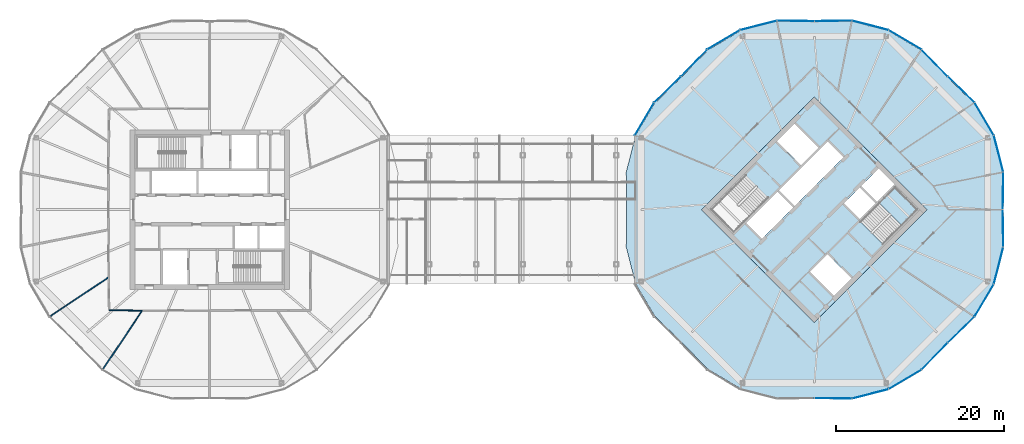
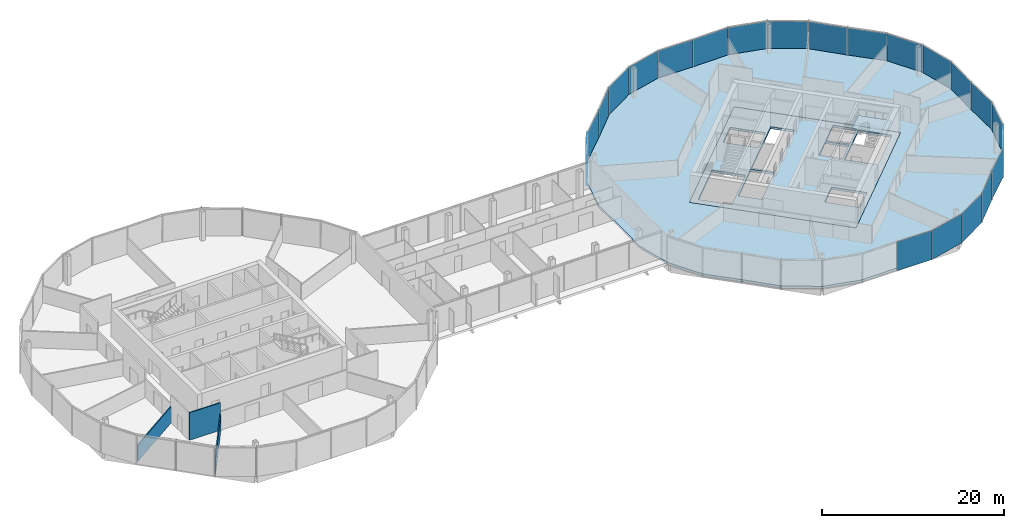
# One storey, part 18 of 26: 22 plates, 3 slabs, 3 walls, 7 elements without a shape of their own.
"""IFC4 building model written with IfcOpenShell, lengths in metres."""

from ifc_helpers import new_model, si_unit, direction, frame, frame_2d, origin, origin_2d, place, context, subcontext, project, spatial, polyline, rectangle, outline, extrude, material, layer, layer_set, type_object, element, aggregate, save


model = new_model("IFC4")

# Units and contexts
model_context = context("Model", 3, precision=1e-05, world=origin(), true_north=direction((0.0, 1.0)))
body_context = subcontext(model_context, "Body", "Model", "MODEL_VIEW")
ifc_project = project(units=[si_unit("LENGTHUNIT", "METRE"), si_unit("AREAUNIT", "SQUARE_METRE"), si_unit("VOLUMEUNIT", "CUBIC_METRE"), si_unit("PLANEANGLEUNIT", "RADIAN"), si_unit("MASSUNIT", "GRAM", prefix="KILO")], contexts=[model_context])

# Site, building, storey
site_placement = place(None, origin())
site = spatial("IfcSite", under=ifc_project, at=site_placement, CompositionType="ELEMENT")
building_placement = place(site_placement, origin())
building = spatial("IfcBuilding", under=site, at=building_placement, Name="Ogive Gate Towers", CompositionType="ELEMENT")
storey_placement = place(building_placement, frame((0.0, 0.0, 156.800048828125)))
storey = spatial("IfcBuildingStorey", under=building, at=storey_placement, Name="L37", CompositionType="ELEMENT", Elevation=156.800048828125)

# Slabs
ifc_material_1 = material(Name="Concrete C40/50", Category="concrete")
ifc_layer_1 = layer(ifc_material_1, 0.300048828125)
ifc_layer_set_1 = layer_set([ifc_layer_1], Name="Core slab C40/50 300 mm")
slab_type_1 = type_object("IfcSlabType", Name="Core slab C40/50 300 mm", PredefinedType="FLOOR", material=ifc_layer_set_1)
slab_1_placement = place(storey_placement, frame((0.0, 0.0, -0.300048828125)))
element("IfcSlab", 1, at=slab_1_placement, inside=storey, type_object=slab_type_1, Name="T2 L37 core slab", PredefinedType="FLOOR", context=body_context, shape_type="SweptSolid", body=[
    extrude(outline(polyline([(36.0, -13.43505859375), (22.56494140625, 0.0), (36.0, 13.43505859375), (49.43505859375, 0.0), (36.0, -13.43505859375)]), holes=[polyline([(29.759765625, -3.482421875), (33.50732421875, 0.26513671875), (31.615966796875, 2.15673828125), (27.868408203125, -1.591064453125), (29.759765625, -3.482421875)]), polyline([(31.792724609375, 2.33349609375), (33.68408203125, 0.44189453125), (39.482421875, 6.240234375), (37.591064453125, 8.131591796875), (31.792724609375, 2.33349609375)]), polyline([(41.3916015625, 2.634033203125), (39.517822265625, 0.760009765625), (41.409423828125, -1.13134765625), (43.283203125, 0.742431640625), (41.3916015625, 2.634033203125)]), polyline([(45.563720703125, 3.02294921875), (43.672119140625, 4.914306640625), (41.568603515625, 2.810791015625), (43.4599609375, 0.919189453125), (45.563720703125, 3.02294921875)]), polyline([(34.408935546875, 5.30322265625), (36.4951171875, 7.389404296875), (33.64892578125, 10.2353515625), (31.56298828125, 8.1494140625), (34.408935546875, 5.30322265625)]), polyline([(35.5048828125, -7.389404296875), (38.35107421875, -10.2353515625), (40.43701171875, -8.1494140625), (37.591064453125, -5.30322265625), (35.5048828125, -7.389404296875)]), polyline([(26.40087890625, -2.70458984375), (30.512939453125, 1.406982421875), (27.80810546875, 4.11181640625), (23.6962890625, 0.0), (26.40087890625, -2.70458984375)]), polyline([(48.3037109375, 0.0), (45.59912109375, 2.70458984375), (41.487060546875, -1.406982421875), (44.19189453125, -4.11181640625), (48.3037109375, 0.0)])]), origin(), (0.0, 0.0, 1.0), 0.300048828125),
])
ifc_material_2 = material(Name="Concrete C35/45", Category="concrete")
ifc_layer_2 = layer(ifc_material_2, 0.300048828125)
ifc_layer_set_2 = layer_set([ifc_layer_2], Name="Floor slab 300")
slab_type_2 = type_object("IfcSlabType", Name="Floor slab 300", PredefinedType="FLOOR", material=ifc_layer_set_2)
slab_2_placement = place(storey_placement, frame((0.0, 0.0, -0.300048828125)))
element("IfcSlab", 2, at=slab_2_placement, inside=storey, type_object=slab_type_2, Name="T2/L37/SSL001", PredefinedType="FLOOR", context=body_context, shape_type="SweptSolid", body=[
    extrude(outline(polyline([(58.401123046875, -4.455810546875), (58.340087890625, 0.0), (58.401123046875, 4.455810546875), (57.2861328125, 8.817138671875), (54.99072265625, 12.689208984375), (51.796875, 15.796875), (48.689208984375, 18.99072265625), (44.817138671875, 21.2861328125), (40.455810546875, 22.401123046875), (36.0, 22.340087890625), (31.544189453125, 22.401123046875), (27.182861328125, 21.2861328125), (23.310791015625, 18.99072265625), (20.203125, 15.796875), (17.00927734375, 12.689208984375), (14.7138671875, 8.817138671875), (13.598876953125, 4.455810546875), (13.659912109375, 0.0), (13.598876953125, -4.455810546875), (14.7138671875, -8.817138671875), (17.00927734375, -12.689208984375), (20.203125, -15.796875), (23.310791015625, -18.99072265625), (27.182861328125, -21.2861328125), (31.544189453125, -22.401123046875), (36.0, -22.340087890625), (40.455810546875, -22.401123046875), (44.817138671875, -21.2861328125), (48.689208984375, -18.99072265625), (51.796875, -15.796875), (54.99072265625, -12.689208984375), (57.2861328125, -8.817138671875), (58.401123046875, -4.455810546875)]), holes=[polyline([(49.43505859375, 0.0), (36.0, -13.43505859375), (22.56494140625, 0.0), (36.0, 13.43505859375), (49.43505859375, 0.0)])]), origin(), (0.0, 0.0, 1.0), 0.300048828125),
])

# Stair, slab
stair_type = type_object("IfcStairType", Name="Escape stair 1840 wide", PredefinedType="HALF_TURN_STAIR", material=ifc_material_1)
stair_placement = place(storey_placement, origin())
stair = element("IfcStair", 3, at=stair_placement, inside=storey, type_object=stair_type, Name="L37 Escape stair 2", PredefinedType="HALF_TURN_STAIR")
ifc_layer_3 = layer(ifc_material_1, 0.199951171875)
ifc_layer_set_3 = layer_set([ifc_layer_3], Name="Stair landing 200 mm")
slab_type_3 = type_object("IfcSlabType", Name="Stair landing 200 mm", PredefinedType="LANDING", material=ifc_layer_set_3)
slab_3_placement = place(storey_placement, frame((0.0, 0.0, 1.800048828125)))
slab_3 = element("IfcSlab", 4, at=slab_3_placement, type_object=slab_type_3, Name="ST2 landing 1", PredefinedType="LANDING", context=body_context, shape_type="SweptSolid", body=[
    extrude(outline(polyline([(46.413818359375, -1.8896484375), (48.3037109375, 0.0), (45.598876953125, 2.70458984375), (43.709228515625, 0.81494140625), (46.413818359375, -1.8896484375)])), origin(), (0.0, 0.0, 1.0), 0.199951171875),
])
aggregate(stair, [slab_3])

# Curtain wall, plates
ifc_material_3 = material(Name="Pale metal aluminium", Category="aluminium")
curtain_wall_type = type_object("IfcCurtainWallType", Name="Tower unitised wall, high zone", PredefinedType="NOTDEFINED", material=ifc_material_3)
curtain_wall_1_placement = place(storey_placement, origin())
curtain_wall_1 = element("IfcCurtainWall", 5, at=curtain_wall_1_placement, inside=storey, type_object=curtain_wall_type, Name="CW2 T2 ECW01", PredefinedType="NOTDEFINED")
ifc_material_4 = material(Name="Clear glass", Category="glass")
ifc_layer_4 = layer(ifc_material_4, 0.028076171875)
ifc_layer_set_4 = layer_set([ifc_layer_4], Name="Tower unitised wall, high zone glass panel")
plate_type = type_object("IfcPlateType", Name="Tower unitised wall, high zone glass panel", PredefinedType="CURTAIN_PANEL", material=ifc_layer_set_4)
plate_1_placement = place(storey_placement, frame((58.470703125, 2.23193359375, -0.30029296875), z_axis=(0.0, 0.0, 1.0), x_axis=(0.013717857647, 0.999905905764, 0.0)))
plate_1 = element("IfcPlate", 6, at=plate_1_placement, type_object=plate_type, Name="CW2 glass panel", PredefinedType="CURTAIN_PANEL", context=body_context, shape_type="SweptSolid", body=[
    extrude(rectangle(XDim=4.410400390625, YDim=0.028076171875, at=origin_2d()), origin(), (0.0, 0.0, 1.0), 3.904052734375),
])
plate_2_placement = place(storey_placement, frame((57.9404296875, 6.66162109375, -0.30029296875), z_axis=(0.0, 0.0, 1.0), x_axis=(-0.24769236254, 0.968838734537, 0.0)))
plate_2 = element("IfcPlate", 7, at=plate_2_placement, type_object=plate_type, Name="CW2 glass panel", PredefinedType="CURTAIN_PANEL", context=body_context, shape_type="SweptSolid", body=[
    extrude(rectangle(XDim=4.46728515625, YDim=0.028076171875, at=origin_2d()), origin(), (0.0, 0.0, 1.0), 3.904052734375),
])
plate_3_placement = place(storey_placement, frame((56.224609375, 10.8037109375, -0.30029296875), z_axis=(0.0, 0.0, 1.0), x_axis=(-0.509942503415, 0.860208488223, 0.0)))
plate_3 = element("IfcPlate", 8, at=plate_3_placement, type_object=plate_type, Name="CW2 glass panel", PredefinedType="CURTAIN_PANEL", context=body_context, shape_type="SweptSolid", body=[
    extrude(rectangle(XDim=4.467041015625, YDim=0.028076171875, at=origin_2d()), origin(), (0.0, 0.0, 1.0), 3.904052734375),
])
plate_4_placement = place(storey_placement, frame((53.46728515625, 14.310791015625, -0.30029296875), z_axis=(0.0, 0.0, 1.0), x_axis=(-0.716728065687, 0.697352765719, 0.0)))
plate_4 = element("IfcPlate", 9, at=plate_4_placement, type_object=plate_type, Name="CW2 glass panel", PredefinedType="CURTAIN_PANEL", context=body_context, shape_type="SweptSolid", body=[
    extrude(rectangle(XDim=4.410400390625, YDim=0.028076171875, at=origin_2d()), origin(), (0.0, 0.0, 1.0), 3.904052734375),
])
aggregate(curtain_wall_1, [plate_1, plate_2, plate_3, plate_4])

curtain_wall_2_placement = place(storey_placement, origin())
curtain_wall_2 = element("IfcCurtainWall", 10, at=curtain_wall_2_placement, inside=storey, type_object=curtain_wall_type, Name="CW2 T2 ECW02", PredefinedType="NOTDEFINED")
plate_5_placement = place(storey_placement, frame((50.310791015625, 17.46728515625, -0.30029296875), z_axis=(0.0, 0.0, 1.0), x_axis=(-0.697352765719, 0.716728065687, 0.0)))
plate_5 = element("IfcPlate", 11, at=plate_5_placement, type_object=plate_type, Name="CW2 glass panel", PredefinedType="CURTAIN_PANEL", context=body_context, shape_type="SweptSolid", body=[
    extrude(rectangle(XDim=4.410400390625, YDim=0.028076171875, at=origin_2d()), origin(), (0.0, 0.0, 1.0), 3.904052734375),
])
plate_6_placement = place(storey_placement, frame((46.8037109375, 20.224609375, -0.30029296875), z_axis=(0.0, 0.0, 1.0), x_axis=(-0.860208488223, 0.509942503415, 0.0)))
plate_6 = element("IfcPlate", 12, at=plate_6_placement, type_object=plate_type, Name="CW2 glass panel", PredefinedType="CURTAIN_PANEL", context=body_context, shape_type="SweptSolid", body=[
    extrude(rectangle(XDim=4.467041015625, YDim=0.028076171875, at=origin_2d()), origin(), (0.0, 0.0, 1.0), 3.904052734375),
])
plate_7_placement = place(storey_placement, frame((42.66162109375, 21.9404296875, -0.30029296875), z_axis=(0.0, 0.0, 1.0), x_axis=(-0.968838734537, 0.24769236254, 0.0)))
plate_7 = element("IfcPlate", 13, at=plate_7_placement, type_object=plate_type, Name="CW2 glass panel", PredefinedType="CURTAIN_PANEL", context=body_context, shape_type="SweptSolid", body=[
    extrude(rectangle(XDim=4.46728515625, YDim=0.028076171875, at=origin_2d()), origin(), (0.0, 0.0, 1.0), 3.904052734375),
])
plate_8_placement = place(storey_placement, frame((38.23193359375, 22.470703125, -0.30029296875), z_axis=(0.0, 0.0, 1.0), x_axis=(-0.999905905764, -0.013717857647, 0.0)))
plate_8 = element("IfcPlate", 14, at=plate_8_placement, type_object=plate_type, Name="CW2 glass panel", PredefinedType="CURTAIN_PANEL", context=body_context, shape_type="SweptSolid", body=[
    extrude(rectangle(XDim=4.410400390625, YDim=0.028076171875, at=origin_2d()), origin(), (0.0, 0.0, 1.0), 3.904052734375),
])
aggregate(curtain_wall_2, [plate_5, plate_6, plate_7, plate_8])

curtain_wall_3_placement = place(storey_placement, origin())
curtain_wall_3 = element("IfcCurtainWall", 15, at=curtain_wall_3_placement, inside=storey, type_object=curtain_wall_type, Name="CW2 T2 ECW03", PredefinedType="NOTDEFINED")
plate_9_placement = place(storey_placement, frame((33.76806640625, 22.470703125, -0.30029296875), z_axis=(0.0, 0.0, 1.0), x_axis=(-0.999905905764, 0.013717857647, 0.0)))
plate_9 = element("IfcPlate", 16, at=plate_9_placement, type_object=plate_type, Name="CW2 glass panel", PredefinedType="CURTAIN_PANEL", context=body_context, shape_type="SweptSolid", body=[
    extrude(rectangle(XDim=4.410400390625, YDim=0.028076171875, at=origin_2d()), origin(), (0.0, 0.0, 1.0), 3.904052734375),
])
plate_10_placement = place(storey_placement, frame((29.33837890625, 21.9404296875, -0.30029296875), z_axis=(0.0, 0.0, 1.0), x_axis=(-0.968838734537, -0.24769236254, 0.0)))
plate_10 = element("IfcPlate", 17, at=plate_10_placement, type_object=plate_type, Name="CW2 glass panel", PredefinedType="CURTAIN_PANEL", context=body_context, shape_type="SweptSolid", body=[
    extrude(rectangle(XDim=4.46728515625, YDim=0.028076171875, at=origin_2d()), origin(), (0.0, 0.0, 1.0), 3.904052734375),
])
plate_11_placement = place(storey_placement, frame((25.1962890625, 20.224609375, -0.30029296875), z_axis=(0.0, 0.0, 1.0), x_axis=(-0.860208488223, -0.509942503415, 0.0)))
plate_11 = element("IfcPlate", 18, at=plate_11_placement, type_object=plate_type, Name="CW2 glass panel", PredefinedType="CURTAIN_PANEL", context=body_context, shape_type="SweptSolid", body=[
    extrude(rectangle(XDim=4.467041015625, YDim=0.028076171875, at=origin_2d()), origin(), (0.0, 0.0, 1.0), 3.904052734375),
])
plate_12_placement = place(storey_placement, frame((21.689208984375, 17.46728515625, -0.30029296875), z_axis=(0.0, 0.0, 1.0), x_axis=(-0.697352765719, -0.716728065687, 0.0)))
plate_12 = element("IfcPlate", 19, at=plate_12_placement, type_object=plate_type, Name="CW2 glass panel", PredefinedType="CURTAIN_PANEL", context=body_context, shape_type="SweptSolid", body=[
    extrude(rectangle(XDim=4.410400390625, YDim=0.028076171875, at=origin_2d()), origin(), (0.0, 0.0, 1.0), 3.904052734375),
])
aggregate(curtain_wall_3, [plate_9, plate_10, plate_11, plate_12])

curtain_wall_4_placement = place(storey_placement, origin())
curtain_wall_4 = element("IfcCurtainWall", 20, at=curtain_wall_4_placement, inside=storey, type_object=curtain_wall_type, Name="CW2 T2 ECW04", PredefinedType="NOTDEFINED")
plate_13_placement = place(storey_placement, frame((18.53271484375, 14.310791015625, -0.30029296875), z_axis=(0.0, 0.0, 1.0), x_axis=(-0.716728065687, -0.697352765719, 0.0)))
plate_13 = element("IfcPlate", 21, at=plate_13_placement, type_object=plate_type, Name="CW2 glass panel", PredefinedType="CURTAIN_PANEL", context=body_context, shape_type="SweptSolid", body=[
    extrude(rectangle(XDim=4.410400390625, YDim=0.028076171875, at=origin_2d()), origin(), (0.0, 0.0, 1.0), 3.904052734375),
])
plate_14_placement = place(storey_placement, frame((15.7744140625, 10.802001953125, -0.30029296875), z_axis=(0.0, 0.0, 1.0), x_axis=(-0.509942503415, -0.860208488223, 0.0)))
plate_14 = element("IfcPlate", 22, at=plate_14_placement, type_object=plate_type, Name="CW2 glass panel", PredefinedType="CURTAIN_PANEL", context=body_context, shape_type="SweptSolid", body=[
    extrude(rectangle(XDim=4.47119140625, YDim=0.028076171875, at=origin_2d()), origin(), (0.0, 0.0, 1.0), 3.904052734375),
])
aggregate(curtain_wall_4, [plate_13, plate_14])

curtain_wall_5_placement = place(storey_placement, origin())
curtain_wall_5 = element("IfcCurtainWall", 23, at=curtain_wall_5_placement, inside=storey, type_object=curtain_wall_type, Name="CW2 T2 ECW07", PredefinedType="NOTDEFINED")
plate_15_placement = place(storey_placement, frame((38.23193359375, -22.470703125, -0.30029296875), z_axis=(0.0, 0.0, 1.0), x_axis=(0.999905905764, -0.013717857647, 0.0)))
plate_15 = element("IfcPlate", 24, at=plate_15_placement, type_object=plate_type, Name="CW2 glass panel", PredefinedType="CURTAIN_PANEL", context=body_context, shape_type="SweptSolid", body=[
    extrude(rectangle(XDim=4.410400390625, YDim=0.028076171875, at=origin_2d()), origin(), (0.0, 0.0, 1.0), 3.904052734375),
])
plate_16_placement = place(storey_placement, frame((42.66162109375, -21.9404296875, -0.30029296875), z_axis=(0.0, 0.0, 1.0), x_axis=(0.968838734537, 0.24769236254, 0.0)))
plate_16 = element("IfcPlate", 25, at=plate_16_placement, type_object=plate_type, Name="CW2 glass panel", PredefinedType="CURTAIN_PANEL", context=body_context, shape_type="SweptSolid", body=[
    extrude(rectangle(XDim=4.46728515625, YDim=0.028076171875, at=origin_2d()), origin(), (0.0, 0.0, 1.0), 3.904052734375),
])
plate_17_placement = place(storey_placement, frame((46.8037109375, -20.224609375, -0.30029296875), z_axis=(0.0, 0.0, 1.0), x_axis=(0.860208488223, 0.509942503415, 0.0)))
plate_17 = element("IfcPlate", 26, at=plate_17_placement, type_object=plate_type, Name="CW2 glass panel", PredefinedType="CURTAIN_PANEL", context=body_context, shape_type="SweptSolid", body=[
    extrude(rectangle(XDim=4.467041015625, YDim=0.028076171875, at=origin_2d()), origin(), (0.0, 0.0, 1.0), 3.904052734375),
])
plate_18_placement = place(storey_placement, frame((50.310791015625, -17.46728515625, -0.30029296875), z_axis=(0.0, 0.0, 1.0), x_axis=(0.697352765719, 0.716728065687, 0.0)))
plate_18 = element("IfcPlate", 27, at=plate_18_placement, type_object=plate_type, Name="CW2 glass panel", PredefinedType="CURTAIN_PANEL", context=body_context, shape_type="SweptSolid", body=[
    extrude(rectangle(XDim=4.410400390625, YDim=0.028076171875, at=origin_2d()), origin(), (0.0, 0.0, 1.0), 3.904052734375),
])
aggregate(curtain_wall_5, [plate_15, plate_16, plate_17, plate_18])

curtain_wall_6_placement = place(storey_placement, origin())
curtain_wall_6 = element("IfcCurtainWall", 28, at=curtain_wall_6_placement, inside=storey, type_object=curtain_wall_type, Name="CW2 T2 ECW08", PredefinedType="NOTDEFINED")
plate_19_placement = place(storey_placement, frame((53.46728515625, -14.310791015625, -0.30029296875), z_axis=(0.0, 0.0, 1.0), x_axis=(0.716728065687, 0.697352765719, 0.0)))
plate_19 = element("IfcPlate", 29, at=plate_19_placement, type_object=plate_type, Name="CW2 glass panel", PredefinedType="CURTAIN_PANEL", context=body_context, shape_type="SweptSolid", body=[
    extrude(rectangle(XDim=4.410400390625, YDim=0.028076171875, at=origin_2d()), origin(), (0.0, 0.0, 1.0), 3.904052734375),
])
plate_20_placement = place(storey_placement, frame((56.224609375, -10.8037109375, -0.30029296875), z_axis=(0.0, 0.0, 1.0), x_axis=(0.509942503415, 0.860208488223, 0.0)))
plate_20 = element("IfcPlate", 30, at=plate_20_placement, type_object=plate_type, Name="CW2 glass panel", PredefinedType="CURTAIN_PANEL", context=body_context, shape_type="SweptSolid", body=[
    extrude(rectangle(XDim=4.467041015625, YDim=0.028076171875, at=origin_2d()), origin(), (0.0, 0.0, 1.0), 3.904052734375),
])
plate_21_placement = place(storey_placement, frame((57.9404296875, -6.66162109375, -0.30029296875), z_axis=(0.0, 0.0, 1.0), x_axis=(0.24769236254, 0.968838734537, 0.0)))
plate_21 = element("IfcPlate", 31, at=plate_21_placement, type_object=plate_type, Name="CW2 glass panel", PredefinedType="CURTAIN_PANEL", context=body_context, shape_type="SweptSolid", body=[
    extrude(rectangle(XDim=4.46728515625, YDim=0.028076171875, at=origin_2d()), origin(), (0.0, 0.0, 1.0), 3.904052734375),
])
plate_22_placement = place(storey_placement, frame((58.470703125, -2.23193359375, -0.30029296875), z_axis=(0.0, 0.0, 1.0), x_axis=(-0.013717857647, 0.999905905764, 0.0)))
plate_22 = element("IfcPlate", 32, at=plate_22_placement, type_object=plate_type, Name="CW2 glass panel", PredefinedType="CURTAIN_PANEL", context=body_context, shape_type="SweptSolid", body=[
    extrude(rectangle(XDim=4.410400390625, YDim=0.028076171875, at=origin_2d()), origin(), (0.0, 0.0, 1.0), 3.904052734375),
])
aggregate(curtain_wall_6, [plate_19, plate_20, plate_21, plate_22])

# Walls
ifc_material_5 = material(Name="Gypsum board partition")
ifc_layer_5 = layer(ifc_material_5, 0.125)
ifc_layer_set_5 = layer_set([ifc_layer_5], Name="Partition 125")
wall_type = type_object("IfcWallType", Name="Partition 125", PredefinedType="PARTITIONING", material=ifc_layer_set_5)
for number, where, z_axis, x_axis, name in (
    (33, (-54.986083984375, -12.695556640625, 0.0), (0.0, 0.0, 1.0), (0.831277196187, 0.55585809619, 0.0), "Partition T1-L37-008"),
    (34, (-48.695556640625, -18.986083984375, 0.0), (0.0, 0.0, 1.0), (0.55585809619, 0.831277196187, 0.0), "Partition T1-L37-009"),
):
    element("IfcWall", number, at=place(storey_placement, frame(where, z_axis=z_axis, x_axis=x_axis)), inside=storey, type_object=wall_type, Name=name, PredefinedType="PARTITIONING", context=body_context, shape_type="SweptSolid", body=[
        extrude(rectangle(XDim=8.31640625, YDim=0.125, at=frame_2d((4.158203125, 0.0))), origin(), (0.0, 0.0, 1.0), 2.199951171875),
    ])
wall_placement = place(storey_placement, frame((-47.97998046875, -11.97998046875, 0.0), z_axis=(0.0, 0.0, 1.0), x_axis=(0.999946514236, -0.010342565829, 0.0)))
element("IfcWall", 35, at=wall_placement, inside=storey, type_object=wall_type, Name="Partition T1-L37-021", PredefinedType="PARTITIONING", context=body_context, shape_type="SweptSolid", body=[
    extrude(rectangle(XDim=3.942138671875, YDim=0.125, at=frame_2d((1.97119140625, 0.0))), origin(), (0.0, 0.0, 1.0), 3.699951171875),
])

save(model, "model.ifc")
